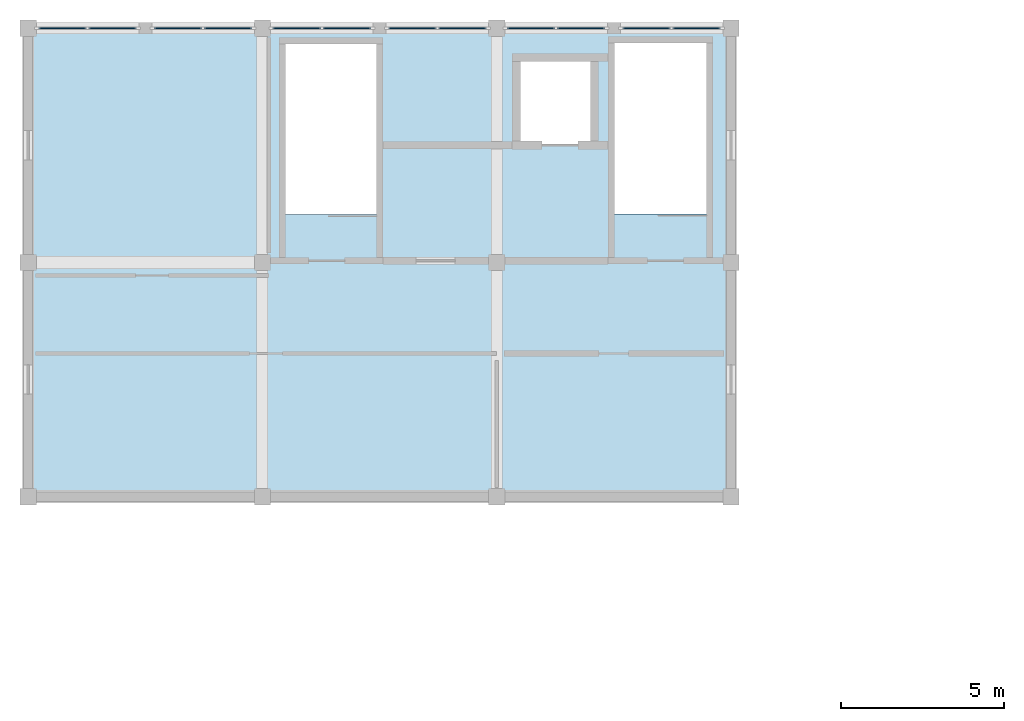
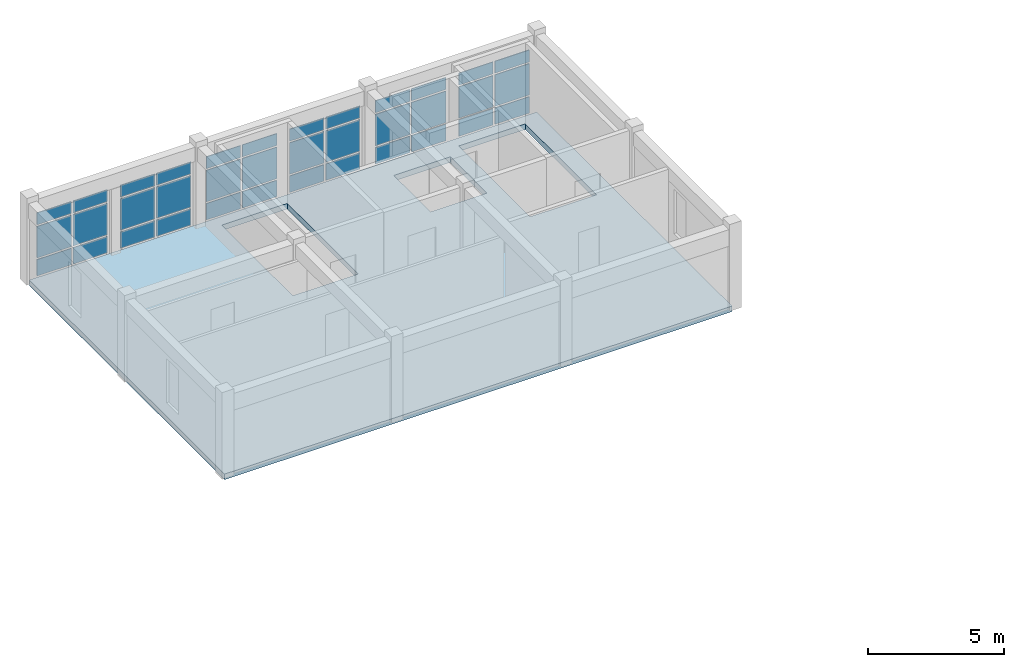
# One storey, part 9 of 14: 36 plates, 1 slab, 6 elements without a shape of their own.
"""IFC4 building model written with IfcOpenShell, lengths in metres."""

from ifc_helpers import new_model, si_unit, direction, frame, origin, origin_2d, place, context, subcontext, project, spatial, polyline, rectangle, outline, extrude, material, layer, layer_set, type_object, element, aggregate, save


model = new_model("IFC4")

# Units and contexts
model_context = context("Model", 3, precision=1e-05, world=origin(), true_north=direction((0.0, 1.0)))
body_context = subcontext(model_context, "Body", "Model", "MODEL_VIEW")
ifc_project = project(units=[si_unit("LENGTHUNIT", "METRE"), si_unit("AREAUNIT", "SQUARE_METRE"), si_unit("VOLUMEUNIT", "CUBIC_METRE"), si_unit("PLANEANGLEUNIT", "RADIAN"), si_unit("MASSUNIT", "GRAM", prefix="KILO")], contexts=[model_context])

# Site, building, storey
site_placement = place(None, origin())
site = spatial("IfcSite", under=ifc_project, at=site_placement, CompositionType="ELEMENT")
building_placement = place(site_placement, origin())
building = spatial("IfcBuilding", under=site, at=building_placement, Name="Koriwan Promenade Central Fire Station", CompositionType="ELEMENT")
storey_placement = place(building_placement, frame((0.0, 0.0, 21.300048828125)))
storey = spatial("IfcBuildingStorey", under=building, at=storey_placement, Name="L05", CompositionType="ELEMENT", Elevation=21.300048828125)

# Curtain wall, plates
ifc_material_1 = material(Name="Aluminium EN AW-6063-T6 and low-E glazing", Category="aluminium")
ifc_layer_1 = layer(ifc_material_1, 0.159912109375, Name="Aluminium EN AW-6063-T6 and low-E glazing")
ifc_layer_set_1 = layer_set([ifc_layer_1], Name="Aluminium EN AW-6063-T6 and low-E glazing")
curtain_wall_type = type_object("IfcCurtainWallType", Name="CurtainWall_15_315x299", PredefinedType="USERDEFINED", material=ifc_layer_set_1)
curtain_wall_1_placement = place(storey_placement, origin())
curtain_wall_1 = element("IfcCurtainWall", 1, at=curtain_wall_1_placement, inside=storey, type_object=curtain_wall_type, Name="V2 L05 unitised curtain wall 045", ObjectType="UNITISED CURTAIN WALL", PredefinedType="USERDEFINED")
ifc_material_2 = material(Name="Solar-control low-E acoustic glazing", Category="glass")
ifc_layer_2 = layer(ifc_material_2, 0.031982421875, Name="Solar-control low-E acoustic glazing")
ifc_layer_set_2 = layer_set([ifc_layer_2], Name="Solar-control low-E acoustic glazing")
plate_type = type_object("IfcPlateType", Name="CWPanel_32", PredefinedType="CURTAIN_PANEL", material=ifc_layer_set_2)
plate_1_placement = place(storey_placement, frame((99.74365234375, 115.199951171875, 0.07470703125), z_axis=(0.0, 0.0, 1.0), x_axis=(-1.0, 0.0, 0.0)))
plate_1 = element("IfcPlate", 2, at=plate_1_placement, type_object=plate_type, Name="CW-15 panel 1.1", PredefinedType="CURTAIN_PANEL", context=body_context, shape_type="SweptSolid", body=[
    extrude(rectangle(XDim=1.46240234375, YDim=0.031982421875, at=origin_2d()), origin(), (0.0, 0.0, 1.0), 0.737548828125),
])
plate_2_placement = place(storey_placement, frame((99.74365234375, 115.199951171875, 0.887451171875), z_axis=(0.0, 0.0, 1.0), x_axis=(-1.0, 0.0, 0.0)))
plate_2 = element("IfcPlate", 3, at=plate_2_placement, type_object=plate_type, Name="CW-15 panel 1.2", PredefinedType="CURTAIN_PANEL", context=body_context, shape_type="SweptSolid", body=[
    extrude(rectangle(XDim=1.46240234375, YDim=0.031982421875, at=origin_2d()), origin(), (0.0, 0.0, 1.0), 1.4150390625),
])
plate_3_placement = place(storey_placement, frame((99.74365234375, 115.199951171875, 2.37744140625), z_axis=(0.0, 0.0, 1.0), x_axis=(-1.0, 0.0, 0.0)))
plate_3 = element("IfcPlate", 4, at=plate_3_placement, type_object=plate_type, Name="CW-15 panel 1.3", PredefinedType="CURTAIN_PANEL", context=body_context, shape_type="SweptSolid", body=[
    extrude(rectangle(XDim=1.46240234375, YDim=0.031982421875, at=origin_2d()), origin(), (0.0, 0.0, 1.0), 0.53759765625),
])
plate_4_placement = place(storey_placement, frame((98.206298828125, 115.199951171875, 0.07470703125), z_axis=(0.0, 0.0, 1.0), x_axis=(-1.0, 0.0, 0.0)))
plate_4 = element("IfcPlate", 5, at=plate_4_placement, type_object=plate_type, Name="CW-15 panel 2.1", PredefinedType="CURTAIN_PANEL", context=body_context, shape_type="SweptSolid", body=[
    extrude(rectangle(XDim=1.46240234375, YDim=0.031982421875, at=origin_2d()), origin(), (0.0, 0.0, 1.0), 0.737548828125),
])
plate_5_placement = place(storey_placement, frame((98.206298828125, 115.199951171875, 0.887451171875), z_axis=(0.0, 0.0, 1.0), x_axis=(-1.0, 0.0, 0.0)))
plate_5 = element("IfcPlate", 6, at=plate_5_placement, type_object=plate_type, Name="CW-15 panel 2.2", PredefinedType="CURTAIN_PANEL", context=body_context, shape_type="SweptSolid", body=[
    extrude(rectangle(XDim=1.46240234375, YDim=0.031982421875, at=origin_2d()), origin(), (0.0, 0.0, 1.0), 1.4150390625),
])
plate_6_placement = place(storey_placement, frame((98.206298828125, 115.199951171875, 2.37744140625), z_axis=(0.0, 0.0, 1.0), x_axis=(-1.0, 0.0, 0.0)))
plate_6 = element("IfcPlate", 7, at=plate_6_placement, type_object=plate_type, Name="CW-15 panel 2.3", PredefinedType="CURTAIN_PANEL", context=body_context, shape_type="SweptSolid", body=[
    extrude(rectangle(XDim=1.46240234375, YDim=0.031982421875, at=origin_2d()), origin(), (0.0, 0.0, 1.0), 0.53759765625),
])
aggregate(curtain_wall_1, [plate_1, plate_2, plate_3, plate_4, plate_5, plate_6])

curtain_wall_2_placement = place(storey_placement, origin())
curtain_wall_2 = element("IfcCurtainWall", 8, at=curtain_wall_2_placement, inside=storey, type_object=curtain_wall_type, Name="V2 L05 unitised curtain wall 046", ObjectType="UNITISED CURTAIN WALL", PredefinedType="USERDEFINED")
plate_7_placement = place(storey_placement, frame((96.19384765625, 115.199951171875, 0.07470703125), z_axis=(0.0, 0.0, 1.0), x_axis=(-1.0, 0.0, 0.0)))
plate_7 = element("IfcPlate", 9, at=plate_7_placement, type_object=plate_type, Name="CW-15 panel 1.1", PredefinedType="CURTAIN_PANEL", context=body_context, shape_type="SweptSolid", body=[
    extrude(rectangle(XDim=1.46240234375, YDim=0.031982421875, at=origin_2d()), origin(), (0.0, 0.0, 1.0), 0.737548828125),
])
plate_8_placement = place(storey_placement, frame((96.19384765625, 115.199951171875, 0.887451171875), z_axis=(0.0, 0.0, 1.0), x_axis=(-1.0, 0.0, 0.0)))
plate_8 = element("IfcPlate", 10, at=plate_8_placement, type_object=plate_type, Name="CW-15 panel 1.2", PredefinedType="CURTAIN_PANEL", context=body_context, shape_type="SweptSolid", body=[
    extrude(rectangle(XDim=1.46240234375, YDim=0.031982421875, at=origin_2d()), origin(), (0.0, 0.0, 1.0), 1.4150390625),
])
plate_9_placement = place(storey_placement, frame((96.19384765625, 115.199951171875, 2.37744140625), z_axis=(0.0, 0.0, 1.0), x_axis=(-1.0, 0.0, 0.0)))
plate_9 = element("IfcPlate", 11, at=plate_9_placement, type_object=plate_type, Name="CW-15 panel 1.3", PredefinedType="CURTAIN_PANEL", context=body_context, shape_type="SweptSolid", body=[
    extrude(rectangle(XDim=1.46240234375, YDim=0.031982421875, at=origin_2d()), origin(), (0.0, 0.0, 1.0), 0.53759765625),
])
plate_10_placement = place(storey_placement, frame((94.65625, 115.199951171875, 0.07470703125), z_axis=(0.0, 0.0, 1.0), x_axis=(-1.0, 0.0, 0.0)))
plate_10 = element("IfcPlate", 12, at=plate_10_placement, type_object=plate_type, Name="CW-15 panel 2.1", PredefinedType="CURTAIN_PANEL", context=body_context, shape_type="SweptSolid", body=[
    extrude(rectangle(XDim=1.46240234375, YDim=0.031982421875, at=origin_2d()), origin(), (0.0, 0.0, 1.0), 0.737548828125),
])
plate_11_placement = place(storey_placement, frame((94.65625, 115.199951171875, 0.887451171875), z_axis=(0.0, 0.0, 1.0), x_axis=(-1.0, 0.0, 0.0)))
plate_11 = element("IfcPlate", 13, at=plate_11_placement, type_object=plate_type, Name="CW-15 panel 2.2", PredefinedType="CURTAIN_PANEL", context=body_context, shape_type="SweptSolid", body=[
    extrude(rectangle(XDim=1.46240234375, YDim=0.031982421875, at=origin_2d()), origin(), (0.0, 0.0, 1.0), 1.4150390625),
])
plate_12_placement = place(storey_placement, frame((94.65625, 115.199951171875, 2.37744140625), z_axis=(0.0, 0.0, 1.0), x_axis=(-1.0, 0.0, 0.0)))
plate_12 = element("IfcPlate", 14, at=plate_12_placement, type_object=plate_type, Name="CW-15 panel 2.3", PredefinedType="CURTAIN_PANEL", context=body_context, shape_type="SweptSolid", body=[
    extrude(rectangle(XDim=1.46240234375, YDim=0.031982421875, at=origin_2d()), origin(), (0.0, 0.0, 1.0), 0.53759765625),
])
aggregate(curtain_wall_2, [plate_7, plate_8, plate_9, plate_10, plate_11, plate_12])

curtain_wall_3_placement = place(storey_placement, origin())
curtain_wall_3 = element("IfcCurtainWall", 15, at=curtain_wall_3_placement, inside=storey, type_object=curtain_wall_type, Name="V2 L05 unitised curtain wall 047", ObjectType="UNITISED CURTAIN WALL", PredefinedType="USERDEFINED")
plate_13_placement = place(storey_placement, frame((92.543701171875, 115.199951171875, 0.07470703125), z_axis=(0.0, 0.0, 1.0), x_axis=(-1.0, 0.0, 0.0)))
plate_13 = element("IfcPlate", 16, at=plate_13_placement, type_object=plate_type, Name="CW-15 panel 1.1", PredefinedType="CURTAIN_PANEL", context=body_context, shape_type="SweptSolid", body=[
    extrude(rectangle(XDim=1.46240234375, YDim=0.031982421875, at=origin_2d()), origin(), (0.0, 0.0, 1.0), 0.737548828125),
])
plate_14_placement = place(storey_placement, frame((92.543701171875, 115.199951171875, 0.887451171875), z_axis=(0.0, 0.0, 1.0), x_axis=(-1.0, 0.0, 0.0)))
plate_14 = element("IfcPlate", 17, at=plate_14_placement, type_object=plate_type, Name="CW-15 panel 1.2", PredefinedType="CURTAIN_PANEL", context=body_context, shape_type="SweptSolid", body=[
    extrude(rectangle(XDim=1.46240234375, YDim=0.031982421875, at=origin_2d()), origin(), (0.0, 0.0, 1.0), 1.4150390625),
])
plate_15_placement = place(storey_placement, frame((92.543701171875, 115.199951171875, 2.37744140625), z_axis=(0.0, 0.0, 1.0), x_axis=(-1.0, 0.0, 0.0)))
plate_15 = element("IfcPlate", 18, at=plate_15_placement, type_object=plate_type, Name="CW-15 panel 1.3", PredefinedType="CURTAIN_PANEL", context=body_context, shape_type="SweptSolid", body=[
    extrude(rectangle(XDim=1.46240234375, YDim=0.031982421875, at=origin_2d()), origin(), (0.0, 0.0, 1.0), 0.53759765625),
])
plate_16_placement = place(storey_placement, frame((91.00634765625, 115.199951171875, 0.07470703125), z_axis=(0.0, 0.0, 1.0), x_axis=(-1.0, 0.0, 0.0)))
plate_16 = element("IfcPlate", 19, at=plate_16_placement, type_object=plate_type, Name="CW-15 panel 2.1", PredefinedType="CURTAIN_PANEL", context=body_context, shape_type="SweptSolid", body=[
    extrude(rectangle(XDim=1.46240234375, YDim=0.031982421875, at=origin_2d()), origin(), (0.0, 0.0, 1.0), 0.737548828125),
])
plate_17_placement = place(storey_placement, frame((91.00634765625, 115.199951171875, 0.887451171875), z_axis=(0.0, 0.0, 1.0), x_axis=(-1.0, 0.0, 0.0)))
plate_17 = element("IfcPlate", 20, at=plate_17_placement, type_object=plate_type, Name="CW-15 panel 2.2", PredefinedType="CURTAIN_PANEL", context=body_context, shape_type="SweptSolid", body=[
    extrude(rectangle(XDim=1.46240234375, YDim=0.031982421875, at=origin_2d()), origin(), (0.0, 0.0, 1.0), 1.4150390625),
])
plate_18_placement = place(storey_placement, frame((91.00634765625, 115.199951171875, 2.37744140625), z_axis=(0.0, 0.0, 1.0), x_axis=(-1.0, 0.0, 0.0)))
plate_18 = element("IfcPlate", 21, at=plate_18_placement, type_object=plate_type, Name="CW-15 panel 2.3", PredefinedType="CURTAIN_PANEL", context=body_context, shape_type="SweptSolid", body=[
    extrude(rectangle(XDim=1.46240234375, YDim=0.031982421875, at=origin_2d()), origin(), (0.0, 0.0, 1.0), 0.53759765625),
])
aggregate(curtain_wall_3, [plate_13, plate_14, plate_15, plate_16, plate_17, plate_18])

curtain_wall_4_placement = place(storey_placement, origin())
curtain_wall_4 = element("IfcCurtainWall", 22, at=curtain_wall_4_placement, inside=storey, type_object=curtain_wall_type, Name="V2 L05 unitised curtain wall 048", ObjectType="UNITISED CURTAIN WALL", PredefinedType="USERDEFINED")
plate_19_placement = place(storey_placement, frame((88.99365234375, 115.199951171875, 0.07470703125), z_axis=(0.0, 0.0, 1.0), x_axis=(-1.0, 0.0, 0.0)))
plate_19 = element("IfcPlate", 23, at=plate_19_placement, type_object=plate_type, Name="CW-15 panel 1.1", PredefinedType="CURTAIN_PANEL", context=body_context, shape_type="SweptSolid", body=[
    extrude(rectangle(XDim=1.46240234375, YDim=0.031982421875, at=origin_2d()), origin(), (0.0, 0.0, 1.0), 0.737548828125),
])
plate_20_placement = place(storey_placement, frame((88.99365234375, 115.199951171875, 0.887451171875), z_axis=(0.0, 0.0, 1.0), x_axis=(-1.0, 0.0, 0.0)))
plate_20 = element("IfcPlate", 24, at=plate_20_placement, type_object=plate_type, Name="CW-15 panel 1.2", PredefinedType="CURTAIN_PANEL", context=body_context, shape_type="SweptSolid", body=[
    extrude(rectangle(XDim=1.46240234375, YDim=0.031982421875, at=origin_2d()), origin(), (0.0, 0.0, 1.0), 1.4150390625),
])
plate_21_placement = place(storey_placement, frame((88.99365234375, 115.199951171875, 2.37744140625), z_axis=(0.0, 0.0, 1.0), x_axis=(-1.0, 0.0, 0.0)))
plate_21 = element("IfcPlate", 25, at=plate_21_placement, type_object=plate_type, Name="CW-15 panel 1.3", PredefinedType="CURTAIN_PANEL", context=body_context, shape_type="SweptSolid", body=[
    extrude(rectangle(XDim=1.46240234375, YDim=0.031982421875, at=origin_2d()), origin(), (0.0, 0.0, 1.0), 0.53759765625),
])
plate_22_placement = place(storey_placement, frame((87.456298828125, 115.199951171875, 0.07470703125), z_axis=(0.0, 0.0, 1.0), x_axis=(-1.0, 0.0, 0.0)))
plate_22 = element("IfcPlate", 26, at=plate_22_placement, type_object=plate_type, Name="CW-15 panel 2.1", PredefinedType="CURTAIN_PANEL", context=body_context, shape_type="SweptSolid", body=[
    extrude(rectangle(XDim=1.46240234375, YDim=0.031982421875, at=origin_2d()), origin(), (0.0, 0.0, 1.0), 0.737548828125),
])
plate_23_placement = place(storey_placement, frame((87.456298828125, 115.199951171875, 0.887451171875), z_axis=(0.0, 0.0, 1.0), x_axis=(-1.0, 0.0, 0.0)))
plate_23 = element("IfcPlate", 27, at=plate_23_placement, type_object=plate_type, Name="CW-15 panel 2.2", PredefinedType="CURTAIN_PANEL", context=body_context, shape_type="SweptSolid", body=[
    extrude(rectangle(XDim=1.46240234375, YDim=0.031982421875, at=origin_2d()), origin(), (0.0, 0.0, 1.0), 1.4150390625),
])
plate_24_placement = place(storey_placement, frame((87.456298828125, 115.199951171875, 2.37744140625), z_axis=(0.0, 0.0, 1.0), x_axis=(-1.0, 0.0, 0.0)))
plate_24 = element("IfcPlate", 28, at=plate_24_placement, type_object=plate_type, Name="CW-15 panel 2.3", PredefinedType="CURTAIN_PANEL", context=body_context, shape_type="SweptSolid", body=[
    extrude(rectangle(XDim=1.46240234375, YDim=0.031982421875, at=origin_2d()), origin(), (0.0, 0.0, 1.0), 0.53759765625),
])
aggregate(curtain_wall_4, [plate_19, plate_20, plate_21, plate_22, plate_23, plate_24])

curtain_wall_5_placement = place(storey_placement, origin())
curtain_wall_5 = element("IfcCurtainWall", 29, at=curtain_wall_5_placement, inside=storey, type_object=curtain_wall_type, Name="V2 L05 unitised curtain wall 049", ObjectType="UNITISED CURTAIN WALL", PredefinedType="USERDEFINED")
plate_25_placement = place(storey_placement, frame((85.34375, 115.199951171875, 0.07470703125), z_axis=(0.0, 0.0, 1.0), x_axis=(-1.0, 0.0, 0.0)))
plate_25 = element("IfcPlate", 30, at=plate_25_placement, type_object=plate_type, Name="CW-15 panel 1.1", PredefinedType="CURTAIN_PANEL", context=body_context, shape_type="SweptSolid", body=[
    extrude(rectangle(XDim=1.46240234375, YDim=0.031982421875, at=origin_2d()), origin(), (0.0, 0.0, 1.0), 0.737548828125),
])
plate_26_placement = place(storey_placement, frame((85.34375, 115.199951171875, 0.887451171875), z_axis=(0.0, 0.0, 1.0), x_axis=(-1.0, 0.0, 0.0)))
plate_26 = element("IfcPlate", 31, at=plate_26_placement, type_object=plate_type, Name="CW-15 panel 1.2", PredefinedType="CURTAIN_PANEL", context=body_context, shape_type="SweptSolid", body=[
    extrude(rectangle(XDim=1.46240234375, YDim=0.031982421875, at=origin_2d()), origin(), (0.0, 0.0, 1.0), 1.4150390625),
])
plate_27_placement = place(storey_placement, frame((85.34375, 115.199951171875, 2.37744140625), z_axis=(0.0, 0.0, 1.0), x_axis=(-1.0, 0.0, 0.0)))
plate_27 = element("IfcPlate", 32, at=plate_27_placement, type_object=plate_type, Name="CW-15 panel 1.3", PredefinedType="CURTAIN_PANEL", context=body_context, shape_type="SweptSolid", body=[
    extrude(rectangle(XDim=1.46240234375, YDim=0.031982421875, at=origin_2d()), origin(), (0.0, 0.0, 1.0), 0.53759765625),
])
plate_28_placement = place(storey_placement, frame((83.80615234375, 115.199951171875, 0.07470703125), z_axis=(0.0, 0.0, 1.0), x_axis=(-1.0, 0.0, 0.0)))
plate_28 = element("IfcPlate", 33, at=plate_28_placement, type_object=plate_type, Name="CW-15 panel 2.1", PredefinedType="CURTAIN_PANEL", context=body_context, shape_type="SweptSolid", body=[
    extrude(rectangle(XDim=1.46240234375, YDim=0.031982421875, at=origin_2d()), origin(), (0.0, 0.0, 1.0), 0.737548828125),
])
plate_29_placement = place(storey_placement, frame((83.80615234375, 115.199951171875, 0.887451171875), z_axis=(0.0, 0.0, 1.0), x_axis=(-1.0, 0.0, 0.0)))
plate_29 = element("IfcPlate", 34, at=plate_29_placement, type_object=plate_type, Name="CW-15 panel 2.2", PredefinedType="CURTAIN_PANEL", context=body_context, shape_type="SweptSolid", body=[
    extrude(rectangle(XDim=1.46240234375, YDim=0.031982421875, at=origin_2d()), origin(), (0.0, 0.0, 1.0), 1.4150390625),
])
plate_30_placement = place(storey_placement, frame((83.80615234375, 115.199951171875, 2.37744140625), z_axis=(0.0, 0.0, 1.0), x_axis=(-1.0, 0.0, 0.0)))
plate_30 = element("IfcPlate", 35, at=plate_30_placement, type_object=plate_type, Name="CW-15 panel 2.3", PredefinedType="CURTAIN_PANEL", context=body_context, shape_type="SweptSolid", body=[
    extrude(rectangle(XDim=1.46240234375, YDim=0.031982421875, at=origin_2d()), origin(), (0.0, 0.0, 1.0), 0.53759765625),
])
aggregate(curtain_wall_5, [plate_25, plate_26, plate_27, plate_28, plate_29, plate_30])

curtain_wall_6_placement = place(storey_placement, origin())
curtain_wall_6 = element("IfcCurtainWall", 36, at=curtain_wall_6_placement, inside=storey, type_object=curtain_wall_type, Name="V2 L05 unitised curtain wall 050", ObjectType="UNITISED CURTAIN WALL", PredefinedType="USERDEFINED")
plate_31_placement = place(storey_placement, frame((81.793701171875, 115.199951171875, 0.07470703125), z_axis=(0.0, 0.0, 1.0), x_axis=(-1.0, 0.0, 0.0)))
plate_31 = element("IfcPlate", 37, at=plate_31_placement, type_object=plate_type, Name="CW-15 panel 1.1", PredefinedType="CURTAIN_PANEL", context=body_context, shape_type="SweptSolid", body=[
    extrude(rectangle(XDim=1.46240234375, YDim=0.031982421875, at=origin_2d()), origin(), (0.0, 0.0, 1.0), 0.737548828125),
])
plate_32_placement = place(storey_placement, frame((81.793701171875, 115.199951171875, 0.887451171875), z_axis=(0.0, 0.0, 1.0), x_axis=(-1.0, 0.0, 0.0)))
plate_32 = element("IfcPlate", 38, at=plate_32_placement, type_object=plate_type, Name="CW-15 panel 1.2", PredefinedType="CURTAIN_PANEL", context=body_context, shape_type="SweptSolid", body=[
    extrude(rectangle(XDim=1.46240234375, YDim=0.031982421875, at=origin_2d()), origin(), (0.0, 0.0, 1.0), 1.4150390625),
])
plate_33_placement = place(storey_placement, frame((81.793701171875, 115.199951171875, 2.37744140625), z_axis=(0.0, 0.0, 1.0), x_axis=(-1.0, 0.0, 0.0)))
plate_33 = element("IfcPlate", 39, at=plate_33_placement, type_object=plate_type, Name="CW-15 panel 1.3", PredefinedType="CURTAIN_PANEL", context=body_context, shape_type="SweptSolid", body=[
    extrude(rectangle(XDim=1.46240234375, YDim=0.031982421875, at=origin_2d()), origin(), (0.0, 0.0, 1.0), 0.53759765625),
])
plate_34_placement = place(storey_placement, frame((80.25634765625, 115.199951171875, 0.07470703125), z_axis=(0.0, 0.0, 1.0), x_axis=(-1.0, 0.0, 0.0)))
plate_34 = element("IfcPlate", 40, at=plate_34_placement, type_object=plate_type, Name="CW-15 panel 2.1", PredefinedType="CURTAIN_PANEL", context=body_context, shape_type="SweptSolid", body=[
    extrude(rectangle(XDim=1.46240234375, YDim=0.031982421875, at=origin_2d()), origin(), (0.0, 0.0, 1.0), 0.737548828125),
])
plate_35_placement = place(storey_placement, frame((80.25634765625, 115.199951171875, 0.887451171875), z_axis=(0.0, 0.0, 1.0), x_axis=(-1.0, 0.0, 0.0)))
plate_35 = element("IfcPlate", 41, at=plate_35_placement, type_object=plate_type, Name="CW-15 panel 2.2", PredefinedType="CURTAIN_PANEL", context=body_context, shape_type="SweptSolid", body=[
    extrude(rectangle(XDim=1.46240234375, YDim=0.031982421875, at=origin_2d()), origin(), (0.0, 0.0, 1.0), 1.4150390625),
])
plate_36_placement = place(storey_placement, frame((80.25634765625, 115.199951171875, 2.37744140625), z_axis=(0.0, 0.0, 1.0), x_axis=(-1.0, 0.0, 0.0)))
plate_36 = element("IfcPlate", 42, at=plate_36_placement, type_object=plate_type, Name="CW-15 panel 2.3", PredefinedType="CURTAIN_PANEL", context=body_context, shape_type="SweptSolid", body=[
    extrude(rectangle(XDim=1.46240234375, YDim=0.031982421875, at=origin_2d()), origin(), (0.0, 0.0, 1.0), 0.53759765625),
])
aggregate(curtain_wall_6, [plate_31, plate_32, plate_33, plate_34, plate_35, plate_36])

# Slab
ifc_material_3 = material(Name="Concrete C35/45", Category="concrete")
ifc_layer_3 = layer(ifc_material_3, 0.25, Name="Concrete C35/45")
ifc_layer_set_3 = layer_set([ifc_layer_3], Name="Concrete C35/45")
slab_type = type_object("IfcSlabType", Name="FloorSlab_250", PredefinedType="FLOOR", material=ifc_layer_set_3)
slab_placement = place(storey_placement, frame((0.0, 0.0, -0.25)))
element("IfcSlab", 43, at=slab_placement, inside=storey, type_object=slab_type, Name="V2 L05 structural slab 1", PredefinedType="FLOOR", context=body_context, shape_type="SweptSolid", body=[
    extrude(outline(polyline([(79.199951171875, 115.199951171875), (100.800048828125, 115.199951171875), (100.800048828125, 100.800048828125), (79.199951171875, 100.800048828125), (79.199951171875, 115.199951171875)]), holes=[polyline([(97.219970703125, 114.75), (97.219970703125, 109.491943359375), (100.050048828125, 109.491943359375), (100.050048828125, 114.75), (97.219970703125, 114.75)]), polyline([(89.89990234375, 114.7099609375), (87.110107421875, 114.7099609375), (87.110107421875, 109.471923828125), (89.89990234375, 109.471923828125), (89.89990234375, 114.7099609375)]), polyline([(96.60009765625, 114.300048828125), (94.199951171875, 114.300048828125), (94.199951171875, 111.60009765625), (96.60009765625, 111.60009765625), (96.60009765625, 114.300048828125)])]), origin(), (0.0, 0.0, 1.0), 0.25),
])

save(model, "model.ifc")
